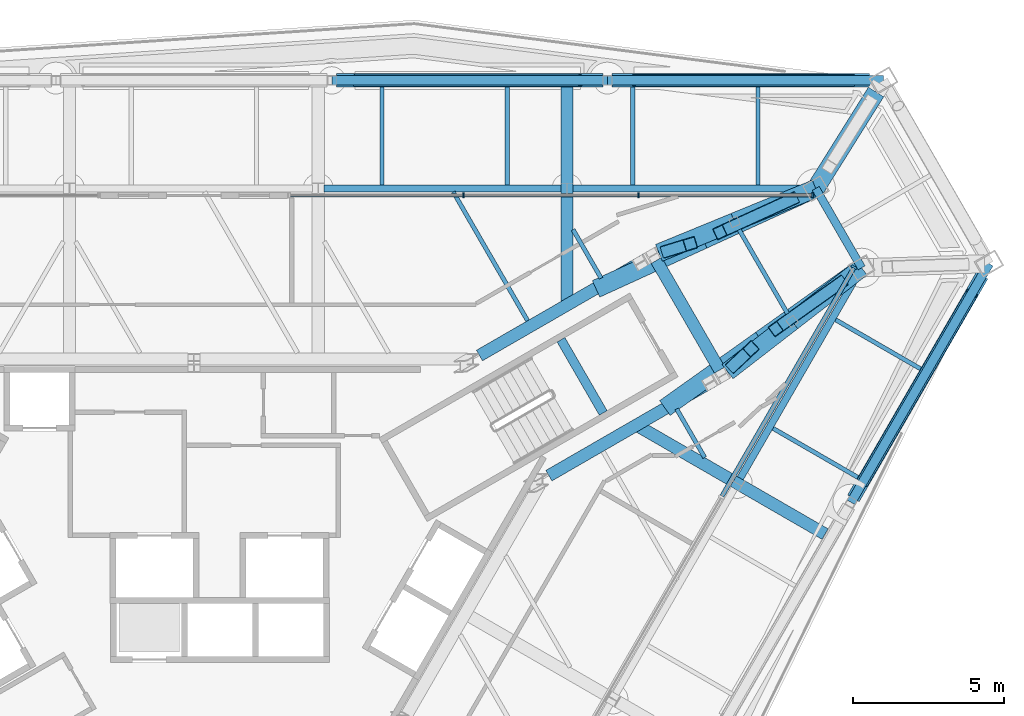
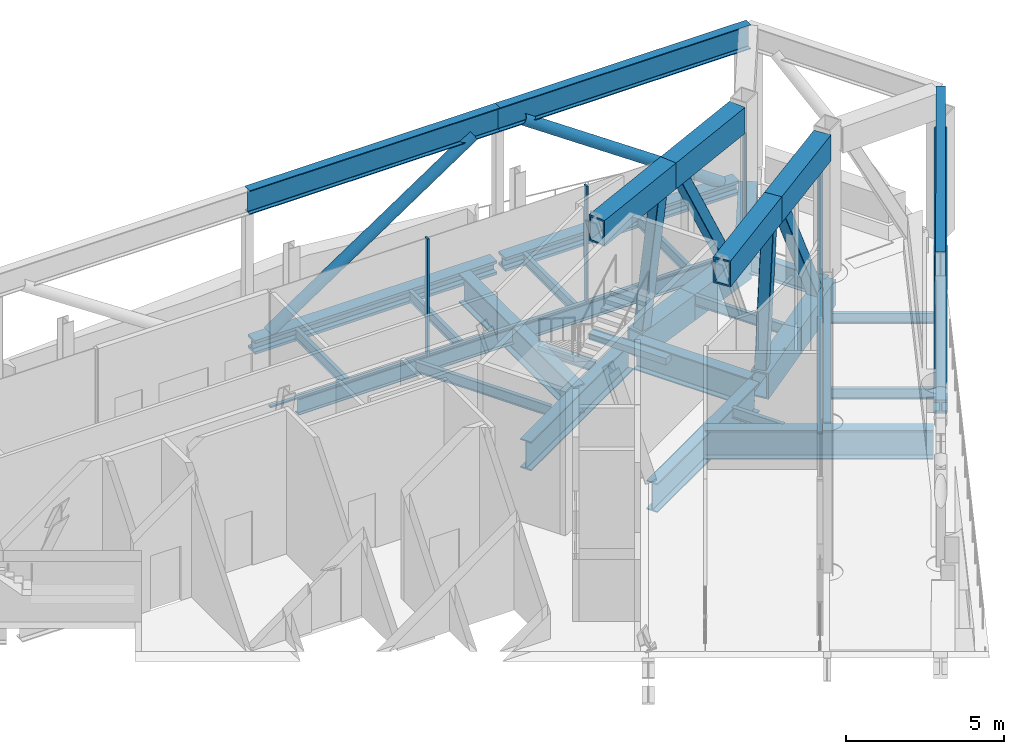
# One storey, part 12 of 25: 35 beams, 15 members, 2 elements without a shape of their own.
"""IFC4 building model written with IfcOpenShell, lengths in metres."""

from ifc_helpers import new_model, si_unit, direction, frame, origin, origin_2d, place, context, subcontext, project, spatial, rectangle, hollow_rectangle, hollow_circle, i_section, extrude, material, material_profile, profile_set, type_object, element, aggregate, save


model = new_model("IFC4")

# Units and contexts
model_context = context("Model", 3, precision=1e-05, world=origin(), true_north=direction((0.0, 1.0)))
body_context = subcontext(model_context, "Body", "Model", "MODEL_VIEW")
ifc_project = project(units=[si_unit("LENGTHUNIT", "METRE"), si_unit("AREAUNIT", "SQUARE_METRE"), si_unit("VOLUMEUNIT", "CUBIC_METRE"), si_unit("PLANEANGLEUNIT", "RADIAN"), si_unit("MASSUNIT", "GRAM", prefix="KILO")], contexts=[model_context])

# Site, building, storey
site_placement = place(None, origin())
site = spatial("IfcSite", under=ifc_project, at=site_placement, CompositionType="ELEMENT")
building_placement = place(site_placement, origin())
building = spatial("IfcBuilding", under=site, at=building_placement, Name="Verrane Prism Tower", CompositionType="ELEMENT")
storey_placement = place(building_placement, frame((0.0, 0.0, 258.199951171875)))
storey = spatial("IfcBuildingStorey", under=building, at=storey_placement, Name="L65", CompositionType="ELEMENT", Elevation=258.199951171875)

# Beams
ifc_material_1 = material(Name="Steel A992", Category="steel")
ifc_material_profile_1 = material_profile(ifc_material_1, i_section(OverallWidth=0.44189453125, OverallDepth=0.53076171875, WebThickness=0.06591796875, FlangeThickness=0.105712890625, FilletRadius=0.01513671875, at=origin_2d()), Name="W14x605")
ifc_profile_set_1 = profile_set([ifc_material_profile_1], Name="Steel A992")
beam_type_1 = type_object("IfcBeamType", Name="Belt truss chord W14x605", PredefinedType="BEAM", material=ifc_profile_set_1)
beam_1_placement = place(storey_placement, frame((22.378173828125, 17.22998046875, -0.424560546875), z_axis=(-1.0, 0.0, 0.0), x_axis=(0.0, -1.0, 0.0)))
element("IfcBeam", 1, at=beam_1_placement, inside=storey, type_object=beam_type_1, Name="Belt truss chord L65", PredefinedType="BEAM", context=body_context, shape_type="SweptSolid", body=[
    extrude(i_section(OverallWidth=0.44189453125, OverallDepth=0.53076171875, WebThickness=0.06591796875, FlangeThickness=0.105712890625, FilletRadius=0.01513671875, at=origin_2d()), origin(), (0.0, 0.0, 1.0), 8.52587890625),
])
beam_2_placement = place(storey_placement, frame((13.547607421875, 17.22998046875, -0.424560546875), z_axis=(-1.0, 0.0, 0.0), x_axis=(0.0, -1.0, 0.0)))
element("IfcBeam", 2, at=beam_2_placement, inside=storey, type_object=beam_type_1, Name="Belt truss chord L65", PredefinedType="BEAM", context=body_context, shape_type="SweptSolid", body=[
    extrude(i_section(OverallWidth=0.44189453125, OverallDepth=0.53076171875, WebThickness=0.06591796875, FlangeThickness=0.105712890625, FilletRadius=0.01513671875, at=origin_2d()), origin(), (0.0, 0.0, 1.0), 8.8251953125),
])
beam_3_placement = place(storey_placement, frame((21.84619140625, 3.382080078125, -0.424560546875), z_axis=(0.500268050635, 0.865870589357, 0.0), x_axis=(-0.865870589357, 0.500268050635, 0.0)))
element("IfcBeam", 3, at=beam_3_placement, inside=storey, type_object=beam_type_1, Name="Belt truss chord L65", PredefinedType="BEAM", context=body_context, shape_type="SweptSolid", body=[
    extrude(i_section(OverallWidth=0.44189453125, OverallDepth=0.53076171875, WebThickness=0.06591796875, FlangeThickness=0.105712890625, FilletRadius=0.01513671875, at=origin_2d()), origin(), (0.0, 0.0, 1.0), 8.520751953125),
])
ifc_material_2 = material(Name="Steel A992", Category="steel")
ifc_material_profile_2 = material_profile(ifc_material_2, i_section(OverallWidth=0.307373046875, OverallDepth=0.927001953125, WebThickness=0.01953125, FlangeThickness=0.031982421875, FilletRadius=0.01904296875, at=origin_2d()), Name="W36x194")
ifc_profile_set_2 = profile_set([ifc_material_profile_2], Name="Steel A992")
beam_type_2 = type_object("IfcBeamType", Name="Belt truss chord W36x194", PredefinedType="BEAM", material=ifc_profile_set_2)
beam_4_placement = place(storey_placement, frame((22.840087890625, 17.22998046875, 5.176513671875), z_axis=(-1.0, 0.0, 0.0), x_axis=(0.0, -1.0, 0.0)))
element("IfcBeam", 4, at=beam_4_placement, inside=storey, type_object=beam_type_2, Name="Belt truss chord L65", PredefinedType="BEAM", context=body_context, shape_type="SweptSolid", body=[
    extrude(i_section(OverallWidth=0.307373046875, OverallDepth=0.927001953125, WebThickness=0.01953125, FlangeThickness=0.031982421875, FilletRadius=0.01904296875, at=origin_2d()), origin(), (0.0, 0.0, 1.0), 9.14013671875),
])
beam_5_placement = place(storey_placement, frame((13.699951171875, 17.22998046875, 5.176513671875), z_axis=(-1.0, 0.0, 0.0), x_axis=(0.0, -1.0, 0.0)))
element("IfcBeam", 5, at=beam_5_placement, inside=storey, type_object=beam_type_2, Name="Belt truss chord L65", PredefinedType="BEAM", context=body_context, shape_type="SweptSolid", body=[
    extrude(i_section(OverallWidth=0.307373046875, OverallDepth=0.927001953125, WebThickness=0.01953125, FlangeThickness=0.031982421875, FilletRadius=0.01904296875, at=origin_2d()), origin(), (0.0, 0.0, 1.0), 9.1298828125),
])
beam_6_placement = place(storey_placement, frame((21.77001953125, 3.25, 5.176513671875), z_axis=(0.500269138002, 0.865869961116, 0.0), x_axis=(-0.865869961116, 0.500269138002, 0.0)))
element("IfcBeam", 6, at=beam_6_placement, inside=storey, type_object=beam_type_2, Name="Belt truss chord L65", PredefinedType="BEAM", context=body_context, shape_type="SweptSolid", body=[
    extrude(i_section(OverallWidth=0.307373046875, OverallDepth=0.927001953125, WebThickness=0.01953125, FlangeThickness=0.031982421875, FilletRadius=0.01904296875, at=origin_2d()), origin(), (0.0, 0.0, 1.0), 9.13525390625),
])

# Members
ifc_material_3 = material(Name="Steel A500 Grade C", Category="steel")
ifc_material_profile_3 = material_profile(ifc_material_3, hollow_circle(Radius=0.203125, WallThickness=0.0126953125, at=origin_2d()), Name="HSS16.000x0.500")
ifc_profile_set_3 = profile_set([ifc_material_profile_3], Name="Steel A500 Grade C")
member_type_1 = type_object("IfcMemberType", Name="Belt truss diagonal HSS16.000x0.500", PredefinedType="BRACE", material=ifc_profile_set_3)
member_1_placement = place(storey_placement, frame((21.8310546875, 17.22998046875, -0.158935546875), z_axis=(-0.823867815872, 0.0, 0.566781988043), x_axis=(0.0, -1.0, 0.0)))
element("IfcMember", 7, at=member_1_placement, inside=storey, type_object=member_type_1, Name="Belt truss diagonal L65", PredefinedType="BRACE", context=body_context, shape_type="SweptSolid", body=[
    extrude(hollow_circle(Radius=0.203125, WallThickness=0.0126953125, at=origin_2d()), origin(), (0.0, 0.0, 1.0), 8.798583984375),
])
member_2_placement = place(storey_placement, frame((5.3427734375, 17.22998046875, -0.158935546875), z_axis=(0.831363204579, 0.0, 0.555729450428), x_axis=(0.0, 1.0, 0.0)))
element("IfcMember", 8, at=member_2_placement, inside=storey, type_object=member_type_1, Name="Belt truss diagonal L65", PredefinedType="BRACE", context=body_context, shape_type="SweptSolid", body=[
    extrude(hollow_circle(Radius=0.203125, WallThickness=0.0126953125, at=origin_2d()), origin(), (0.0, 0.0, 1.0), 8.973388671875),
])
member_3_placement = place(storey_placement, frame((22.15087890625, 3.9091796875, -0.158935546875), z_axis=(0.412063789808, 0.713227900266, 0.567017985086), x_axis=(-0.865877400452, 0.500256261717, 0.0)))
element("IfcMember", 9, at=member_3_placement, inside=storey, type_object=member_type_1, Name="Belt truss diagonal L65", PredefinedType="BRACE", context=body_context, shape_type="SweptSolid", body=[
    extrude(hollow_circle(Radius=0.203125, WallThickness=0.0126953125, at=origin_2d()), origin(), (0.0, 0.0, 1.0), 8.794921875),
])

# Beams
ifc_material_4 = material(Name="Steel A992", Category="steel")
ifc_material_profile_4 = material_profile(ifc_material_4, i_section(OverallWidth=0.2666015625, OverallDepth=0.7568359375, WebThickness=0.013916015625, FlangeThickness=0.019287109375, FilletRadius=0.0166015625, at=origin_2d()), Name="W30x108")
ifc_profile_set_4 = profile_set([ifc_material_profile_4], Name="Steel A992")
beam_type_3 = type_object("IfcBeamType", Name="Chamfer spandrel beam W30x108", PredefinedType="SPANDREL", material=ifc_profile_set_4)
beam_7_placement = place(storey_placement, frame((22.1201171875, 11.02001953125, -0.538330078125), z_axis=(-0.500408821137, 0.865789242096, 0.0), x_axis=(-0.865789242096, -0.500408821137, 0.0)))
element("IfcBeam", 10, at=beam_7_placement, inside=storey, type_object=beam_type_3, Name="Chamfer spandrel beam L65", PredefinedType="SPANDREL", context=body_context, shape_type="SweptSolid", body=[
    extrude(i_section(OverallWidth=0.2666015625, OverallDepth=0.7568359375, WebThickness=0.013916015625, FlangeThickness=0.019287109375, FilletRadius=0.0166015625, at=origin_2d()), origin(), (0.0, 0.0, 1.0), 3.03759765625),
])
ifc_material_5 = material(Name="Steel A992", Category="steel")
ifc_material_profile_5 = material_profile(ifc_material_5, i_section(OverallWidth=0.140380859375, OverallDepth=0.40380859375, WebThickness=0.007080078125, FlangeThickness=0.01123046875, FilletRadius=0.01025390625, at=origin_2d()), Name="W16x31")
ifc_profile_set_5 = profile_set([ifc_material_profile_5], Name="Steel A992")
beam_type_4 = type_object("IfcBeamType", Name="Floor beam W16x31", PredefinedType="BEAM", material=ifc_profile_set_5)
for number, where, z_axis, x_axis, name in (
    (11, (18.687255859375, 13.764892578125, -0.36181640625), (0.0, 1.0, 0.0), (-1.0, 0.0, 0.0), "Floor beam L65"),
    (12, (14.534423828125, 13.764892578125, -0.36181640625), (0.0, 1.0, 0.0), (-1.0, 0.0, 0.0), "Floor beam L65"),
    (13, (10.3818359375, 13.764892578125, -0.36181640625), (0.0, 1.0, 0.0), (-1.0, 0.0, 0.0), "Floor beam L65"),
    (14, (6.22900390625, 13.764892578125, -0.36181640625), (0.0, 1.0, 0.0), (-1.0, 0.0, 0.0), "Floor beam L65"),
):
    element("IfcBeam", number, at=place(storey_placement, frame(where, z_axis=z_axis, x_axis=x_axis)), inside=storey, type_object=beam_type_4, Name=name, PredefinedType="BEAM", context=body_context, shape_type="SweptSolid", body=[
        extrude(i_section(OverallWidth=0.140380859375, OverallDepth=0.40380859375, WebThickness=0.007080078125, FlangeThickness=0.01123046875, FilletRadius=0.01025390625, at=origin_2d()), origin(), (0.0, 0.0, 1.0), 3.244140625),
    ])
beam_8_placement = place(storey_placement, frame((13.49072265625, 10.675537109375, -0.36181640625), z_axis=(-0.499984136491, 0.866034562392, 0.0), x_axis=(-0.866034562392, -0.499984136491, 0.0)))
element("IfcBeam", 15, at=beam_8_placement, inside=storey, type_object=beam_type_4, Name="Floor beam L65", PredefinedType="BEAM", context=body_context, shape_type="SweptSolid", body=[
    extrude(i_section(OverallWidth=0.140380859375, OverallDepth=0.40380859375, WebThickness=0.007080078125, FlangeThickness=0.01123046875, FilletRadius=0.01025390625, at=origin_2d()), origin(), (0.0, 0.0, 1.0), 1.857421875),
])
beam_9_placement = place(storey_placement, frame((11.054931640625, 9.269775390625, -0.36181640625), z_axis=(-0.500025682568, 0.866010575439, 0.0), x_axis=(-0.866010575439, -0.500025682568, 0.0)))
element("IfcBeam", 16, at=beam_9_placement, inside=storey, type_object=beam_type_4, Name="Floor beam L65", PredefinedType="BEAM", context=body_context, shape_type="SweptSolid", body=[
    extrude(i_section(OverallWidth=0.140380859375, OverallDepth=0.40380859375, WebThickness=0.007080078125, FlangeThickness=0.01123046875, FilletRadius=0.01025390625, at=origin_2d()), origin(), (0.0, 0.0, 1.0), 4.925048828125),
])
beam_10_placement = place(storey_placement, frame((24.071533203125, 7.67529296875, -0.36181640625), z_axis=(-0.866022812202, 0.500004488726, 0.0), x_axis=(-0.500004488726, -0.866022812202, 0.0)))
element("IfcBeam", 17, at=beam_10_placement, inside=storey, type_object=beam_type_4, Name="Floor beam L65", PredefinedType="BEAM", context=body_context, shape_type="SweptSolid", body=[
    extrude(i_section(OverallWidth=0.140380859375, OverallDepth=0.40380859375, WebThickness=0.007080078125, FlangeThickness=0.01123046875, FilletRadius=0.01025390625, at=origin_2d()), origin(), (0.0, 0.0, 1.0), 3.2470703125),
])
beam_11_placement = place(storey_placement, frame((21.994384765625, 4.080322265625, -0.36181640625), z_axis=(-0.86601641886, 0.500015562023, 0.0), x_axis=(-0.500015562023, -0.86601641886, 0.0)))
element("IfcBeam", 18, at=beam_11_placement, inside=storey, type_object=beam_type_4, Name="Floor beam L65", PredefinedType="BEAM", context=body_context, shape_type="SweptSolid", body=[
    extrude(i_section(OverallWidth=0.140380859375, OverallDepth=0.40380859375, WebThickness=0.007080078125, FlangeThickness=0.01123046875, FilletRadius=0.01025390625, at=origin_2d()), origin(), (0.0, 0.0, 1.0), 3.24462890625),
])
beam_12_placement = place(storey_placement, frame((16.921875, 4.736083984375, -0.36181640625), z_axis=(-0.49995366312, 0.866052154742, 0.0), x_axis=(-0.866052154742, -0.49995366312, 0.0)))
element("IfcBeam", 19, at=beam_12_placement, inside=storey, type_object=beam_type_4, Name="Floor beam L65", PredefinedType="BEAM", context=body_context, shape_type="SweptSolid", body=[
    extrude(i_section(OverallWidth=0.140380859375, OverallDepth=0.40380859375, WebThickness=0.007080078125, FlangeThickness=0.01123046875, FilletRadius=0.01025390625, at=origin_2d()), origin(), (0.0, 0.0, 1.0), 1.858642578125),
])
beam_13_placement = place(storey_placement, frame((19.66796875, 9.501708984375, -0.36181640625), z_axis=(-0.500014160211, 0.866017228228, 0.0), x_axis=(-0.866017228228, -0.500014160211, 0.0)))
element("IfcBeam", 20, at=beam_13_placement, inside=storey, type_object=beam_type_4, Name="Floor beam L65", PredefinedType="BEAM", context=body_context, shape_type="SweptSolid", body=[
    extrude(i_section(OverallWidth=0.140380859375, OverallDepth=0.40380859375, WebThickness=0.007080078125, FlangeThickness=0.01123046875, FilletRadius=0.01025390625, at=origin_2d()), origin(), (0.0, 0.0, 1.0), 3.2119140625),
])

# Curtain wall, members
ifc_material_6 = material(Name="Aluminium framed insulated glazing", Category="aluminium")
curtain_wall_type_1 = type_object("IfcCurtainWallType", Name="Curtain wall CW-B 5600 module", PredefinedType="NOTDEFINED", material=ifc_material_6)
curtain_wall_1_placement = place(storey_placement, origin())
curtain_wall_1 = element("IfcCurtainWall", 21, at=curtain_wall_1_placement, inside=storey, type_object=curtain_wall_type_1, Name="Refuge lounge glazing north face L65 1", PredefinedType="NOTDEFINED")
ifc_material_7 = material(Name="Aluminium alloy 6063-T6", Category="aluminium")
ifc_material_profile_6 = material_profile(ifc_material_7, rectangle(XDim=0.159912109375, YDim=0.06005859375, at=origin_2d()), Name="Mullion 60x160 aluminium")
ifc_profile_set_6 = profile_set([ifc_material_profile_6], Name="Aluminium alloy 6063-T6")
member_type_2 = type_object("IfcMemberType", Name="Mullion 60x160 aluminium", PredefinedType="MULLION", material=ifc_profile_set_6)
member_4_placement = place(storey_placement, frame((20.50146484375, 13.421875, 0.0), z_axis=(0.0, 0.0, 1.0), x_axis=(0.0, -1.0, 0.0)))
member_4 = element("IfcMember", 22, at=member_4_placement, type_object=member_type_2, Name="CW65.2.1 mullion 1", PredefinedType="MULLION", context=body_context, shape_type="SweptSolid", body=[
    extrude(rectangle(XDim=0.159912109375, YDim=0.06005859375, at=origin_2d()), origin(), (0.0, 0.0, 1.0), 4.5224609375),
])
member_5_placement = place(storey_placement, frame((14.73095703125, 13.421875, 0.0), z_axis=(0.0, 0.0, 1.0), x_axis=(0.0, -1.0, 0.0)))
member_5 = element("IfcMember", 23, at=member_5_placement, type_object=member_type_2, Name="CW65.2.1 mullion 2", PredefinedType="MULLION", context=body_context, shape_type="SweptSolid", body=[
    extrude(rectangle(XDim=0.159912109375, YDim=0.06005859375, at=origin_2d()), origin(), (0.0, 0.0, 1.0), 4.5224609375),
])
member_6_placement = place(storey_placement, frame((8.930419921875, 13.421875, 0.0), z_axis=(0.0, 0.0, 1.0), x_axis=(0.0, -1.0, 0.0)))
member_6 = element("IfcMember", 24, at=member_6_placement, type_object=member_type_2, Name="CW65.2.1 mullion 3", PredefinedType="MULLION", context=body_context, shape_type="SweptSolid", body=[
    extrude(rectangle(XDim=0.159912109375, YDim=0.06005859375, at=origin_2d()), origin(), (0.0, 0.0, 1.0), 4.5224609375),
])

# Curtain wall, member
ifc_material_8 = material(Name="Aluminium framed insulated glazing", Category="aluminium")
curtain_wall_type_2 = type_object("IfcCurtainWallType", Name="Curtain wall CW-A 8400 module", PredefinedType="NOTDEFINED", material=ifc_material_8)
curtain_wall_2_placement = place(storey_placement, origin())
curtain_wall_2 = element("IfcCurtainWall", 25, at=curtain_wall_2_placement, inside=storey, type_object=curtain_wall_type_2, Name="Refuge lounge glazing south-east face L65 2", PredefinedType="NOTDEFINED")
ifc_material_9 = material(Name="Aluminium alloy 6063-T6", Category="aluminium")
ifc_material_profile_7 = material_profile(ifc_material_9, rectangle(XDim=0.199951171875, YDim=0.070068359375, at=origin_2d()), Name="Mullion 70x200 aluminium")
ifc_profile_set_7 = profile_set([ifc_material_profile_7], Name="Aluminium alloy 6063-T6")
member_type_3 = type_object("IfcMemberType", Name="Mullion 70x200 aluminium", PredefinedType="MULLION", material=ifc_profile_set_7)
member_7_placement = place(storey_placement, frame((21.871826171875, 11.03955078125, 0.0), z_axis=(0.0, 0.0, 1.0), x_axis=(-0.86602648744, 0.499998123049, 0.0)))
member_7 = element("IfcMember", 26, at=member_7_placement, type_object=member_type_3, Name="CW65.6.2 mullion 3", PredefinedType="MULLION", context=body_context, shape_type="SweptSolid", body=[
    extrude(rectangle(XDim=0.199951171875, YDim=0.070068359375, at=origin_2d()), origin(), (0.0, 0.0, 1.0), 4.5224609375),
])

# Beams
ifc_material_10 = material(Name="Steel A572 Grade 50", Category="steel")
ifc_material_profile_8 = material_profile(ifc_material_10, hollow_rectangle(XDim=0.60009765625, YDim=1.0, WallThickness=0.06005859375, at=origin_2d()), Name="BOX 1000x600x60")
ifc_profile_set_8 = profile_set([ifc_material_profile_8], Name="Steel A572 Grade 50")
beam_type_5 = type_object("IfcBeamType", Name="Outrigger truss chord BOX 1000x600x60", PredefinedType="BEAM", material=ifc_profile_set_8)
beam_14_placement = place(storey_placement, frame((22.1201171875, 11.02001953125, -0.659912109375), z_axis=(-0.790832488631, -0.612032658381, 0.0), x_axis=(0.612032658381, -0.790832488631, 0.0)))
element("IfcBeam", 27, at=beam_14_placement, inside=storey, type_object=beam_type_5, Name="Outrigger truss chord L65", PredefinedType="BEAM", context=body_context, shape_type="SweptSolid", body=[
    extrude(hollow_rectangle(XDim=0.60009765625, YDim=1.0, WallThickness=0.06005859375, at=origin_2d()), origin(), (0.0, 0.0, 1.0), 2.908447265625),
])
beam_15_placement = place(storey_placement, frame((19.820068359375, 9.239990234375, -0.659912109375), z_axis=(-0.790850433722, -0.612009470092, 0.0), x_axis=(0.612009470092, -0.790850433722, 0.0)))
element("IfcBeam", 28, at=beam_15_placement, inside=storey, type_object=beam_type_5, Name="Outrigger truss chord L65", PredefinedType="BEAM", context=body_context, shape_type="SweptSolid", body=[
    extrude(hollow_rectangle(XDim=0.60009765625, YDim=1.0, WallThickness=0.06005859375, at=origin_2d()), origin(), (0.0, 0.0, 1.0), 2.70703125),
])
beam_16_placement = place(storey_placement, frame((21.833740234375, 10.81591796875, 5.14013671875), z_axis=(-0.814388447084, -0.580320133423, 0.0), x_axis=(0.580320133423, -0.814388447084, 0.0)))
element("IfcBeam", 29, at=beam_16_placement, inside=storey, type_object=beam_type_5, Name="Outrigger truss chord L65", PredefinedType="BEAM", context=body_context, shape_type="SweptSolid", body=[
    extrude(hollow_rectangle(XDim=0.60009765625, YDim=1.0, WallThickness=0.06005859375, at=origin_2d()), origin(), (0.0, 0.0, 1.0), 3.749755859375),
])
beam_17_placement = place(storey_placement, frame((18.780029296875, 8.639892578125, 5.14013671875), z_axis=(-0.814413732221, -0.580284648056, 0.0), x_axis=(0.580284648056, -0.814413732221, 0.0)))
element("IfcBeam", 30, at=beam_17_placement, inside=storey, type_object=beam_type_5, Name="Outrigger truss chord L65", PredefinedType="BEAM", context=body_context, shape_type="SweptSolid", body=[
    extrude(hollow_rectangle(XDim=0.60009765625, YDim=1.0, WallThickness=0.06005859375, at=origin_2d()), origin(), (0.0, 0.0, 1.0), 3.90087890625),
])
beam_18_placement = place(storey_placement, frame((22.599853515625, 16.84619140625, -0.659912109375), z_axis=(-0.530394678022, -0.847750839295, 0.0), x_axis=(0.847750839295, -0.530394678022, 0.0)))
element("IfcBeam", 31, at=beam_18_placement, inside=storey, type_object=beam_type_5, Name="Outrigger truss chord L65", PredefinedType="BEAM", context=body_context, shape_type="SweptSolid", body=[
    extrude(hollow_rectangle(XDim=0.60009765625, YDim=1.0, WallThickness=0.06005859375, at=origin_2d()), origin(), (0.0, 0.0, 1.0), 3.770263671875),
])
beam_19_placement = place(storey_placement, frame((20.60009765625, 13.64990234375, -0.659912109375), z_axis=(-0.925009808575, -0.379943224758, 0.0), x_axis=(0.379943224758, -0.925009808575, 0.0)))
element("IfcBeam", 32, at=beam_19_placement, inside=storey, type_object=beam_type_5, Name="Outrigger truss chord L65", PredefinedType="BEAM", context=body_context, shape_type="SweptSolid", body=[
    extrude(hollow_rectangle(XDim=0.60009765625, YDim=1.0, WallThickness=0.06005859375, at=origin_2d()), origin(), (0.0, 0.0, 1.0), 2.908203125),
])
beam_20_placement = place(storey_placement, frame((17.909912109375, 12.544921875, -0.659912109375), z_axis=(-0.924997176745, -0.379973976758, 0.0), x_axis=(0.379973976758, -0.924997176745, 0.0)))
element("IfcBeam", 33, at=beam_20_placement, inside=storey, type_object=beam_type_5, Name="Outrigger truss chord L65", PredefinedType="BEAM", context=body_context, shape_type="SweptSolid", body=[
    extrude(hollow_rectangle(XDim=0.60009765625, YDim=1.0, WallThickness=0.06005859375, at=origin_2d()), origin(), (0.0, 0.0, 1.0), 2.70703125),
])
beam_21_placement = place(storey_placement, frame((20.2802734375, 13.50390625, 5.14013671875), z_axis=(-0.909483620055, -0.41573975616, 0.0), x_axis=(0.41573975616, -0.909483620055, 0.0)))
element("IfcBeam", 34, at=beam_21_placement, inside=storey, type_object=beam_type_5, Name="Outrigger truss chord L65", PredefinedType="BEAM", context=body_context, shape_type="SweptSolid", body=[
    extrude(hollow_rectangle(XDim=0.60009765625, YDim=1.0, WallThickness=0.06005859375, at=origin_2d()), origin(), (0.0, 0.0, 1.0), 3.74951171875),
])
beam_22_placement = place(storey_placement, frame((16.8701171875, 11.945068359375, 5.14013671875), z_axis=(-0.90947920846, -0.41574940695, 0.0), x_axis=(0.41574940695, -0.90947920846, 0.0)))
element("IfcBeam", 35, at=beam_22_placement, inside=storey, type_object=beam_type_5, Name="Outrigger truss chord L65", PredefinedType="BEAM", context=body_context, shape_type="SweptSolid", body=[
    extrude(hollow_rectangle(XDim=0.60009765625, YDim=1.0, WallThickness=0.06005859375, at=origin_2d()), origin(), (0.0, 0.0, 1.0), 3.90087890625),
])

# Members
ifc_material_11 = material(Name="Steel A500 Grade C", Category="steel")
ifc_material_profile_9 = material_profile(ifc_material_11, hollow_rectangle(XDim=0.406494140625, YDim=0.406494140625, WallThickness=0.01904296875, InnerFilletRadius=0.009521484375, OuterFilletRadius=0.028564453125, at=origin_2d()), Name="HSS16x16x3/4")
ifc_profile_set_9 = profile_set([ifc_material_profile_9], Name="Steel A500 Grade C")
member_type_4 = type_object("IfcMemberType", Name="Outrigger truss diagonal HSS16x16x3/4", PredefinedType="BRACE", material=ifc_profile_set_9)
member_8_placement = place(storey_placement, frame((21.4208984375, 10.521728515625, -0.219970703125), z_axis=(-0.384131801403, -0.273736023417, 0.881766039625), x_axis=(0.580334009192, -0.814378559255, 0.0)))
element("IfcMember", 36, at=member_8_placement, inside=storey, type_object=member_type_4, Name="Outrigger truss diagonal L65", PredefinedType="BRACE", context=body_context, shape_type="SweptSolid", body=[
    extrude(hollow_rectangle(XDim=0.406494140625, YDim=0.406494140625, WallThickness=0.01904296875, InnerFilletRadius=0.009521484375, OuterFilletRadius=0.028564453125, at=origin_2d()), origin(), (0.0, 0.0, 1.0), 5.57958984375),
])
member_9_placement = place(storey_placement, frame((17.880615234375, 7.7978515625, -0.219970703125), z_axis=(0.115201547762, 0.107851385208, 0.987469838578), x_axis=(-0.68343485063, 0.730011510145, 0.0)))
element("IfcMember", 37, at=member_9_placement, inside=storey, type_object=member_type_4, Name="Outrigger truss diagonal L65", PredefinedType="BRACE", context=body_context, shape_type="SweptSolid", body=[
    extrude(hollow_rectangle(XDim=0.406494140625, YDim=0.406494140625, WallThickness=0.01904296875, InnerFilletRadius=0.009521484375, OuterFilletRadius=0.028564453125, at=origin_2d()), origin(), (0.0, 0.0, 1.0), 4.982421875),
])
member_10_placement = place(storey_placement, frame((19.819091796875, 13.293212890625, -0.219970703125), z_axis=(-0.428946421187, -0.196117296721, 0.881783972228), x_axis=(0.415807994057, -0.909452424307, 0.0)))
element("IfcMember", 38, at=member_10_placement, inside=storey, type_object=member_type_4, Name="Outrigger truss diagonal L65", PredefinedType="BRACE", context=body_context, shape_type="SweptSolid", body=[
    extrude(hollow_rectangle(XDim=0.406494140625, YDim=0.406494140625, WallThickness=0.01904296875, InnerFilletRadius=0.009521484375, OuterFilletRadius=0.028564453125, at=origin_2d()), origin(), (0.0, 0.0, 1.0), 5.57958984375),
])
member_11_placement = place(storey_placement, frame((15.6923828125, 11.584716796875, -0.219970703125), z_axis=(0.150779627656, 0.046111026852, 0.987491406082), x_axis=(-0.292447502684, 0.956281578916, 0.0)))
element("IfcMember", 39, at=member_11_placement, inside=storey, type_object=member_type_4, Name="Outrigger truss diagonal L65", PredefinedType="BRACE", context=body_context, shape_type="SweptSolid", body=[
    extrude(hollow_rectangle(XDim=0.406494140625, YDim=0.406494140625, WallThickness=0.01904296875, InnerFilletRadius=0.009521484375, OuterFilletRadius=0.028564453125, at=origin_2d()), origin(), (0.0, 0.0, 1.0), 4.982177734375),
])

# Beams
ifc_material_12 = material(Name="Steel A992", Category="steel")
ifc_material_profile_10 = material_profile(ifc_material_12, i_section(OverallWidth=0.23046875, OverallDepth=0.6171875, WebThickness=0.01318359375, FlangeThickness=0.022216796875, FilletRadius=0.012939453125, at=origin_2d()), Name="W24x94")
ifc_profile_set_10 = profile_set([ifc_material_profile_10], Name="Steel A992")
beam_type_6 = type_object("IfcBeamType", Name="Spandrel beam W24x94", PredefinedType="SPANDREL", material=ifc_profile_set_10)
beam_23_placement = place(storey_placement, frame((20.19580078125, 13.64990234375, -0.468505859375), z_axis=(-1.0, 0.0, 0.0), x_axis=(0.0, -1.0, 0.0)))
element("IfcBeam", 40, at=beam_23_placement, inside=storey, type_object=beam_type_6, Name="Spandrel beam L65", PredefinedType="SPANDREL", context=body_context, shape_type="SweptSolid", body=[
    extrude(i_section(OverallWidth=0.23046875, OverallDepth=0.6171875, WebThickness=0.01318359375, FlangeThickness=0.022216796875, FilletRadius=0.012939453125, at=origin_2d()), origin(), (0.0, 0.0, 1.0), 7.638916015625),
])
beam_24_placement = place(storey_placement, frame((12.1630859375, 13.64990234375, -0.468505859375), z_axis=(-1.0, 0.0, 0.0), x_axis=(0.0, -1.0, 0.0)))
element("IfcBeam", 41, at=beam_24_placement, inside=storey, type_object=beam_type_6, Name="Spandrel beam L65", PredefinedType="SPANDREL", context=body_context, shape_type="SweptSolid", body=[
    extrude(i_section(OverallWidth=0.23046875, OverallDepth=0.6171875, WebThickness=0.01318359375, FlangeThickness=0.022216796875, FilletRadius=0.012939453125, at=origin_2d()), origin(), (0.0, 0.0, 1.0), 7.84619140625),
])
beam_25_placement = place(storey_placement, frame((18.098388671875, 4.050537109375, -0.468505859375), z_axis=(0.499791590914, 0.866145695395, 0.0), x_axis=(-0.866145695395, 0.499791590914, 0.0)))
element("IfcBeam", 42, at=beam_25_placement, inside=storey, type_object=beam_type_6, Name="Spandrel beam L65", PredefinedType="SPANDREL", context=body_context, shape_type="SweptSolid", body=[
    extrude(i_section(OverallWidth=0.23046875, OverallDepth=0.6171875, WebThickness=0.01318359375, FlangeThickness=0.022216796875, FilletRadius=0.012939453125, at=origin_2d()), origin(), (0.0, 0.0, 1.0), 7.642333984375),
])
ifc_material_13 = material(Name="Concrete C40/50", Category="concrete")
ifc_material_profile_11 = material_profile(ifc_material_13, rectangle(XDim=0.300048828125, YDim=0.25, at=origin_2d()), Name="RC 300x250")
ifc_profile_set_11 = profile_set([ifc_material_profile_11], Name="Concrete C40/50")
beam_type_7 = type_object("IfcBeamType", Name="Stair landing trimmer beam 300x250 concrete C40/50", PredefinedType="BEAM", material=ifc_profile_set_11)
beam_26_placement = place(storey_placement, frame((12.160400390625, 8.637451171875, 2.574951171875), z_axis=(0.500049511043, -0.865996816683, 0.0), x_axis=(0.865996816683, 0.500049511043, 0.0)))
element("IfcBeam", 43, at=beam_26_placement, inside=storey, type_object=beam_type_7, Name="Stair 1 landing trimmer beam", PredefinedType="BEAM", context=body_context, shape_type="SweptSolid", body=[
    extrude(rectangle(XDim=0.300048828125, YDim=0.25, at=origin_2d()), origin(), (0.0, 0.0, 1.0), 2.800048828125),
])
ifc_material_14 = material(Name="Steel A992", Category="steel")
ifc_material_profile_12 = material_profile(ifc_material_14, i_section(OverallWidth=0.40380859375, OverallDepth=1.11767578125, WebThickness=0.026123046875, FlangeThickness=0.044921875, FilletRadius=0.02001953125, at=origin_2d()), Name="W44x335")
ifc_profile_set_12 = profile_set([ifc_material_profile_12], Name="Steel A992")
beam_type_8 = type_object("IfcBeamType", Name="Transfer girder W44x335", PredefinedType="BEAM", material=ifc_profile_set_12)
beam_27_placement = place(storey_placement, frame((11.759521484375, 4.135009765625, -0.808837890625), z_axis=(0.866080992722, 0.499903704773, 0.0), x_axis=(-0.499903704773, 0.866080992722, 0.0)))
element("IfcBeam", 44, at=beam_27_placement, inside=storey, type_object=beam_type_8, Name="Transfer girder L65", PredefinedType="BEAM", context=body_context, shape_type="SweptSolid", body=[
    extrude(i_section(OverallWidth=0.40380859375, OverallDepth=1.11767578125, WebThickness=0.026123046875, FlangeThickness=0.044921875, FilletRadius=0.02001953125, at=origin_2d()), origin(), (0.0, 0.0, 1.0), 6.451904296875),
])
beam_28_placement = place(storey_placement, frame((17.419677734375, 7.6337890625, -0.808837890625), z_axis=(-0.500375511519, 0.865808493532, 0.0), x_axis=(-0.865808493532, -0.500375511519, 0.0)))
element("IfcBeam", 45, at=beam_28_placement, inside=storey, type_object=beam_type_8, Name="Transfer girder L65", PredefinedType="BEAM", context=body_context, shape_type="SweptSolid", body=[
    extrude(i_section(OverallWidth=0.40380859375, OverallDepth=1.11767578125, WebThickness=0.026123046875, FlangeThickness=0.044921875, FilletRadius=0.02001953125, at=origin_2d()), origin(), (0.0, 0.0, 1.0), 4.195556640625),
])
beam_29_placement = place(storey_placement, frame((15.04736328125, 11.34033203125, -0.808837890625), z_axis=(-0.866080992722, -0.499903704773, 0.0), x_axis=(0.499903704773, -0.866080992722, 0.0)))
element("IfcBeam", 46, at=beam_29_placement, inside=storey, type_object=beam_type_8, Name="Transfer girder L65", PredefinedType="BEAM", context=body_context, shape_type="SweptSolid", body=[
    extrude(i_section(OverallWidth=0.40380859375, OverallDepth=1.11767578125, WebThickness=0.026123046875, FlangeThickness=0.044921875, FilletRadius=0.02001953125, at=origin_2d()), origin(), (0.0, 0.0, 1.0), 6.451904296875),
])
beam_30_placement = place(storey_placement, frame((12.360107421875, 17.009033203125, -0.71875), z_axis=(0.0, -1.0, 0.0), x_axis=(1.0, 0.0, 0.0)))
element("IfcBeam", 47, at=beam_30_placement, inside=storey, type_object=beam_type_8, Name="Transfer girder L65", PredefinedType="BEAM", context=body_context, shape_type="SweptSolid", body=[
    extrude(i_section(OverallWidth=0.40380859375, OverallDepth=1.11767578125, WebThickness=0.026123046875, FlangeThickness=0.044921875, FilletRadius=0.02001953125, at=origin_2d()), origin(), (0.0, 0.0, 1.0), 7.2197265625),
])
beam_31_placement = place(storey_placement, frame((20.910400390625, 2.19970703125, -0.71875), z_axis=(-0.866026189411, 0.499998639253, 0.0), x_axis=(-0.499998639253, -0.866026189411, 0.0)))
element("IfcBeam", 48, at=beam_31_placement, inside=storey, type_object=beam_type_8, Name="Transfer girder L65", PredefinedType="BEAM", context=body_context, shape_type="SweptSolid", body=[
    extrude(i_section(OverallWidth=0.40380859375, OverallDepth=1.11767578125, WebThickness=0.026123046875, FlangeThickness=0.044921875, FilletRadius=0.02001953125, at=origin_2d()), origin(), (0.0, 0.0, 1.0), 7.21826171875),
])

# Member
ifc_material_15 = material(Name="Aluminium alloy 6063-T6", Category="aluminium")
ifc_material_profile_13 = material_profile(ifc_material_15, rectangle(XDim=0.1201171875, YDim=0.06005859375, at=origin_2d()), Name="Transom 60x120 aluminium")
ifc_profile_set_13 = profile_set([ifc_material_profile_13], Name="Aluminium alloy 6063-T6")
member_type_5 = type_object("IfcMemberType", Name="Transom 60x120 aluminium", PredefinedType="USERDEFINED", material=ifc_profile_set_13)
member_12_placement = place(storey_placement, frame((20.471435546875, 13.421875, 0.030029296875), z_axis=(-1.0, 0.0, 0.0), x_axis=(0.0, -1.0, 0.0)))
member_12 = element("IfcMember", 49, at=member_12_placement, type_object=member_type_5, Name="CW65.2.1 transom 1", ObjectType="TRANSOM", PredefinedType="USERDEFINED", context=body_context, shape_type="SweptSolid", body=[
    extrude(rectangle(XDim=0.1201171875, YDim=0.06005859375, at=origin_2d()), origin(), (0.0, 0.0, 1.0), 5.71044921875),
])

member_13_placement = place(storey_placement, frame((14.700927734375, 13.421875, 0.030029296875), z_axis=(-1.0, 0.0, 0.0), x_axis=(0.0, -1.0, 0.0)))
member_13 = element("IfcMember", 50, at=member_13_placement, type_object=member_type_5, Name="CW65.2.1 transom 2", ObjectType="TRANSOM", PredefinedType="USERDEFINED", context=body_context, shape_type="SweptSolid", body=[
    extrude(rectangle(XDim=0.1201171875, YDim=0.06005859375, at=origin_2d()), origin(), (0.0, 0.0, 1.0), 5.740478515625),
])

member_14_placement = place(storey_placement, frame((8.900390625, 13.421875, 0.030029296875), z_axis=(-1.0, 0.0, 0.0), x_axis=(0.0, -1.0, 0.0)))
member_14 = element("IfcMember", 51, at=member_14_placement, type_object=member_type_5, Name="CW65.2.1 transom 3", ObjectType="TRANSOM", PredefinedType="USERDEFINED", context=body_context, shape_type="SweptSolid", body=[
    extrude(rectangle(XDim=0.1201171875, YDim=0.06005859375, at=origin_2d()), origin(), (0.0, 0.0, 1.0), 5.71044921875),
])

aggregate(curtain_wall_1, [member_4, member_5, member_6, member_12, member_13, member_14])

ifc_material_16 = material(Name="Aluminium alloy 6063-T6", Category="aluminium")
ifc_material_profile_14 = material_profile(ifc_material_16, rectangle(XDim=0.14990234375, YDim=0.070068359375, at=origin_2d()), Name="Transom 70x150 aluminium")
ifc_profile_set_14 = profile_set([ifc_material_profile_14], Name="Aluminium alloy 6063-T6")
member_type_6 = type_object("IfcMemberType", Name="Transom 70x150 aluminium", PredefinedType="USERDEFINED", material=ifc_profile_set_14)
member_15_placement = place(storey_placement, frame((17.4951171875, 3.45849609375, 0.03515625), z_axis=(0.499972926337, 0.866041034207, 0.0), x_axis=(-0.866041034207, 0.499972926337, 0.0)))
member_15 = element("IfcMember", 52, at=member_15_placement, type_object=member_type_6, Name="CW65.6.2 transom 2", ObjectType="TRANSOM", PredefinedType="USERDEFINED", context=body_context, shape_type="SweptSolid", body=[
    extrude(rectangle(XDim=0.14990234375, YDim=0.070068359375, at=origin_2d()), origin(), (0.0, 0.0, 1.0), 8.71875),
])

aggregate(curtain_wall_2, [member_7, member_15])

save(model, "model.ifc")
